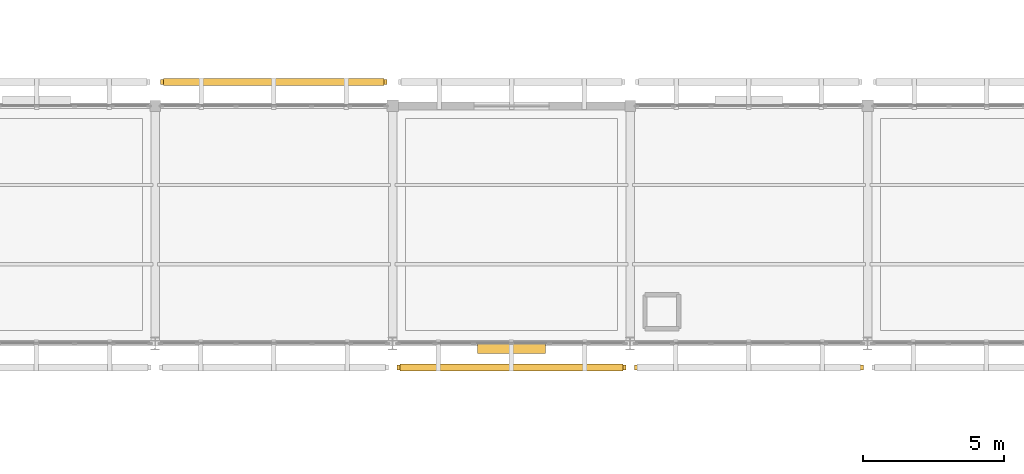
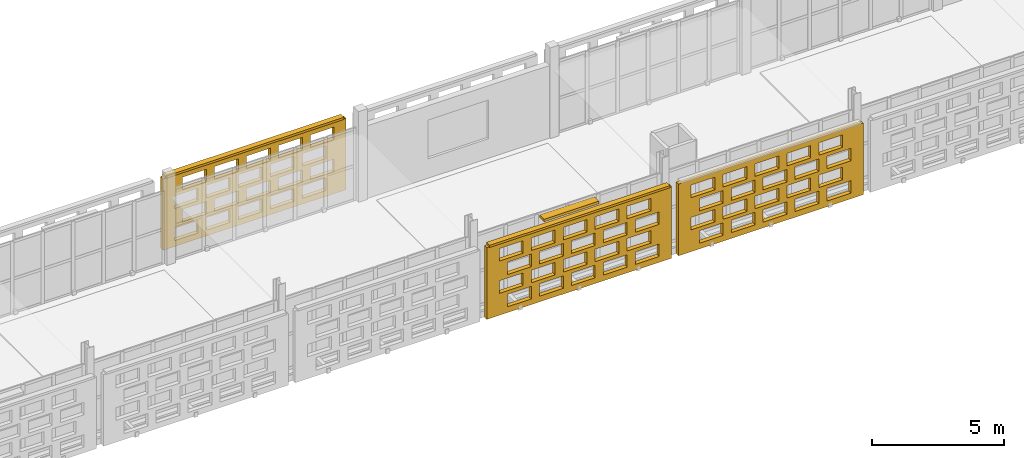
# One storey, part 142 of 166: 3 coverings, 3 shading devices, 60 openings.
"""IFC4 building model written with IfcOpenShell, lengths in metres."""

from ifc_helpers import new_model, si_unit, direction, frame, frame_2d, origin, origin_2d, place, context, subcontext, project, spatial, rectangle, extrude, material, layer, layer_set, type_object, element, save


model = new_model("IFC4")

# Units and contexts
model_context = context("Model", 3, precision=1e-05, world=origin(), true_north=direction((0.0, 1.0)))
body_context = subcontext(model_context, "Body", "Model", "MODEL_VIEW")
ifc_project = project(units=[si_unit("LENGTHUNIT", "METRE"), si_unit("AREAUNIT", "SQUARE_METRE"), si_unit("VOLUMEUNIT", "CUBIC_METRE"), si_unit("PLANEANGLEUNIT", "RADIAN"), si_unit("MASSUNIT", "GRAM", prefix="KILO")], contexts=[model_context])

# Site, building, storey
site_placement = place(None, origin())
site = spatial("IfcSite", under=ifc_project, at=site_placement, CompositionType="ELEMENT")
building_placement = place(site_placement, origin())
building = spatial("IfcBuilding", under=site, at=building_placement, Name="Varnapada Polytechnic", CompositionType="ELEMENT")
storey_placement = place(building_placement, frame((0.0, 0.0, 9.60009765625)))
storey = spatial("IfcBuildingStorey", under=building, at=storey_placement, Name="L02", CompositionType="ELEMENT", Elevation=9.60009765625)

# Shading device
ifc_material_1 = material(Name="Anodised aluminium", Category="aluminium")
ifc_layer_1 = layer(ifc_material_1, 0.35009765625)
ifc_layer_set_1 = layer_set([ifc_layer_1], Name="Anodised aluminium")
shading_device_type_1 = type_object("IfcShadingDeviceType", Name="Solar Louvre LVR-01", PredefinedType="JALOUSIE", material=ifc_layer_set_1)
shading_device_1_placement = place(storey_placement, frame((96.60009765625, 83.820068359375, 3.159912109375), z_axis=(0.0, 0.0, 1.0), x_axis=(-1.0, 0.0, 0.0)))
element("IfcShadingDevice", 1, at=shading_device_1_placement, inside=storey, type_object=shading_device_type_1, Name="L02 aluminium sun louvre 64", PredefinedType="JALOUSIE", context=body_context, shape_type="SweptSolid", body=[
    extrude(rectangle(XDim=2.39990234375, YDim=0.340087890625, at=origin_2d()), origin(), (0.0, 0.0, 1.0), 0.1201171875),
])

# Covering, openings
ifc_material_2 = material(Name="Earth-toned architectural terracotta screen block", Category="masonry")
ifc_layer_2 = layer(ifc_material_2, 0.1201171875)
ifc_layer_set_2 = layer_set([ifc_layer_2], Name="Earth-toned architectural terracotta screen block")
covering_type = type_object("IfcCoveringType", Name="Terracotta Screen Cladding CLD-01", PredefinedType="CLADDING", material=ifc_layer_set_2)
covering_1_placement = place(storey_placement, frame((84.18994140625, 93.25, 0.0), z_axis=(0.0, 0.0, 1.0), x_axis=(1.0, 0.0, 0.0)))
covering_1 = element("IfcCovering", 2, at=covering_1_placement, inside=storey, type_object=covering_type, Name="L02 perforated terracotta block screen (63)", PredefinedType="CLADDING", context=body_context, shape_type="SweptSolid", body=[
    extrude(rectangle(XDim=8.010009765625, YDim=0.179931640625, at=frame_2d((4.0048828125, 0.0))), origin(), (0.0, 0.0, 1.0), 3.31982421875),
])
opening_1_placement = place(covering_1_placement, frame((0.5048828125, 0.0, 0.265625)))
element("IfcOpeningElement", 3, at=opening_1_placement, cuts=covering_1, Name="Screen perforation TBS-L02-062.1", PredefinedType="OPENING", context=body_context, shape_type="SweptSolid", body=[
    extrude(rectangle(XDim=1.0400390625, YDim=0.5810546875, at=frame_2d((0.52001953125, 0.29052734375))), frame((0.0, 0.099853515625, 0.0), z_axis=(0.0, -1.0, 0.0), x_axis=(1.0, 0.0, 0.0)), (0.0, 0.0, 1.0), 0.199951171875),
])
opening_2_placement = place(covering_1_placement, frame((1.905029296875, 0.0, 0.265625)))
element("IfcOpeningElement", 4, at=opening_2_placement, cuts=covering_1, Name="Screen perforation TBS-L02-062.2", PredefinedType="OPENING", context=body_context, shape_type="SweptSolid", body=[
    extrude(rectangle(XDim=1.0400390625, YDim=0.5810546875, at=frame_2d((0.52001953125, 0.29052734375))), frame((0.0, 0.099853515625, 0.0), z_axis=(0.0, -1.0, 0.0), x_axis=(1.0, 0.0, 0.0)), (0.0, 0.0, 1.0), 0.199951171875),
])
opening_3_placement = place(covering_1_placement, frame((3.304931640625, 0.0, 0.265625)))
element("IfcOpeningElement", 5, at=opening_3_placement, cuts=covering_1, Name="Screen perforation TBS-L02-062.3", PredefinedType="OPENING", context=body_context, shape_type="SweptSolid", body=[
    extrude(rectangle(XDim=1.0400390625, YDim=0.5810546875, at=frame_2d((0.52001953125, 0.29052734375))), frame((0.0, 0.099853515625, 0.0), z_axis=(0.0, -1.0, 0.0), x_axis=(1.0, 0.0, 0.0)), (0.0, 0.0, 1.0), 0.199951171875),
])
opening_4_placement = place(covering_1_placement, frame((4.705078125, 0.0, 0.265625)))
element("IfcOpeningElement", 6, at=opening_4_placement, cuts=covering_1, Name="Screen perforation TBS-L02-062.4", PredefinedType="OPENING", context=body_context, shape_type="SweptSolid", body=[
    extrude(rectangle(XDim=1.0400390625, YDim=0.5810546875, at=frame_2d((0.52001953125, 0.29052734375))), frame((0.0, 0.099853515625, 0.0), z_axis=(0.0, -1.0, 0.0), x_axis=(1.0, 0.0, 0.0)), (0.0, 0.0, 1.0), 0.199951171875),
])
opening_5_placement = place(covering_1_placement, frame((6.10498046875, 0.0, 0.265625)))
element("IfcOpeningElement", 7, at=opening_5_placement, cuts=covering_1, Name="Screen perforation TBS-L02-062.5", PredefinedType="OPENING", context=body_context, shape_type="SweptSolid", body=[
    extrude(rectangle(XDim=1.0400390625, YDim=0.5810546875, at=frame_2d((0.52001953125, 0.29052734375))), frame((0.0, 0.099853515625, 0.0), z_axis=(0.0, -1.0, 0.0), x_axis=(1.0, 0.0, 0.0)), (0.0, 0.0, 1.0), 0.199951171875),
])
opening_6_placement = place(covering_1_placement, frame((0.864990234375, 0.0, 1.0126953125)))
element("IfcOpeningElement", 8, at=opening_6_placement, cuts=covering_1, Name="Screen perforation TBS-L02-062.6", PredefinedType="OPENING", context=body_context, shape_type="SweptSolid", body=[
    extrude(rectangle(XDim=1.0400390625, YDim=0.5810546875, at=frame_2d((0.52001953125, 0.29052734375))), frame((0.0, 0.099853515625, 0.0), z_axis=(0.0, -1.0, 0.0), x_axis=(1.0, 0.0, 0.0)), (0.0, 0.0, 1.0), 0.199951171875),
])
opening_7_placement = place(covering_1_placement, frame((2.264892578125, 0.0, 1.0126953125)))
element("IfcOpeningElement", 9, at=opening_7_placement, cuts=covering_1, Name="Screen perforation TBS-L02-062.7", PredefinedType="OPENING", context=body_context, shape_type="SweptSolid", body=[
    extrude(rectangle(XDim=1.0400390625, YDim=0.5810546875, at=frame_2d((0.52001953125, 0.29052734375))), frame((0.0, 0.099853515625, 0.0), z_axis=(0.0, -1.0, 0.0), x_axis=(1.0, 0.0, 0.0)), (0.0, 0.0, 1.0), 0.199951171875),
])
opening_8_placement = place(covering_1_placement, frame((3.6650390625, 0.0, 1.0126953125)))
element("IfcOpeningElement", 10, at=opening_8_placement, cuts=covering_1, Name="Screen perforation TBS-L02-062.8", PredefinedType="OPENING", context=body_context, shape_type="SweptSolid", body=[
    extrude(rectangle(XDim=1.0400390625, YDim=0.5810546875, at=frame_2d((0.52001953125, 0.29052734375))), frame((0.0, 0.099853515625, 0.0), z_axis=(0.0, -1.0, 0.0), x_axis=(1.0, 0.0, 0.0)), (0.0, 0.0, 1.0), 0.199951171875),
])
opening_9_placement = place(covering_1_placement, frame((5.06494140625, 0.0, 1.0126953125)))
element("IfcOpeningElement", 11, at=opening_9_placement, cuts=covering_1, Name="Screen perforation TBS-L02-062.9", PredefinedType="OPENING", context=body_context, shape_type="SweptSolid", body=[
    extrude(rectangle(XDim=1.0400390625, YDim=0.5810546875, at=frame_2d((0.52001953125, 0.29052734375))), frame((0.0, 0.099853515625, 0.0), z_axis=(0.0, -1.0, 0.0), x_axis=(1.0, 0.0, 0.0)), (0.0, 0.0, 1.0), 0.199951171875),
])
opening_10_placement = place(covering_1_placement, frame((6.465087890625, 0.0, 1.0126953125)))
element("IfcOpeningElement", 12, at=opening_10_placement, cuts=covering_1, Name="Screen perforation TBS-L02-062.10", PredefinedType="OPENING", context=body_context, shape_type="SweptSolid", body=[
    extrude(rectangle(XDim=1.0400390625, YDim=0.5810546875, at=frame_2d((0.52001953125, 0.29052734375))), frame((0.0, 0.099853515625, 0.0), z_axis=(0.0, -1.0, 0.0), x_axis=(1.0, 0.0, 0.0)), (0.0, 0.0, 1.0), 0.199951171875),
])
opening_11_placement = place(covering_1_placement, frame((0.5048828125, 0.0, 1.759521484375)))
element("IfcOpeningElement", 13, at=opening_11_placement, cuts=covering_1, Name="Screen perforation TBS-L02-062.11", PredefinedType="OPENING", context=body_context, shape_type="SweptSolid", body=[
    extrude(rectangle(XDim=1.0400390625, YDim=0.5810546875, at=frame_2d((0.52001953125, 0.29052734375))), frame((0.0, 0.099853515625, 0.0), z_axis=(0.0, -1.0, 0.0), x_axis=(1.0, 0.0, 0.0)), (0.0, 0.0, 1.0), 0.199951171875),
])
opening_12_placement = place(covering_1_placement, frame((1.905029296875, 0.0, 1.759521484375)))
element("IfcOpeningElement", 14, at=opening_12_placement, cuts=covering_1, Name="Screen perforation TBS-L02-062.12", PredefinedType="OPENING", context=body_context, shape_type="SweptSolid", body=[
    extrude(rectangle(XDim=1.0400390625, YDim=0.5810546875, at=frame_2d((0.52001953125, 0.29052734375))), frame((0.0, 0.099853515625, 0.0), z_axis=(0.0, -1.0, 0.0), x_axis=(1.0, 0.0, 0.0)), (0.0, 0.0, 1.0), 0.199951171875),
])
opening_13_placement = place(covering_1_placement, frame((3.304931640625, 0.0, 1.759521484375)))
element("IfcOpeningElement", 15, at=opening_13_placement, cuts=covering_1, Name="Screen perforation TBS-L02-062.13", PredefinedType="OPENING", context=body_context, shape_type="SweptSolid", body=[
    extrude(rectangle(XDim=1.0400390625, YDim=0.5810546875, at=frame_2d((0.52001953125, 0.29052734375))), frame((0.0, 0.099853515625, 0.0), z_axis=(0.0, -1.0, 0.0), x_axis=(1.0, 0.0, 0.0)), (0.0, 0.0, 1.0), 0.199951171875),
])
opening_14_placement = place(covering_1_placement, frame((4.705078125, 0.0, 1.759521484375)))
element("IfcOpeningElement", 16, at=opening_14_placement, cuts=covering_1, Name="Screen perforation TBS-L02-062.14", PredefinedType="OPENING", context=body_context, shape_type="SweptSolid", body=[
    extrude(rectangle(XDim=1.0400390625, YDim=0.5810546875, at=frame_2d((0.52001953125, 0.29052734375))), frame((0.0, 0.099853515625, 0.0), z_axis=(0.0, -1.0, 0.0), x_axis=(1.0, 0.0, 0.0)), (0.0, 0.0, 1.0), 0.199951171875),
])
opening_15_placement = place(covering_1_placement, frame((6.10498046875, 0.0, 1.759521484375)))
element("IfcOpeningElement", 17, at=opening_15_placement, cuts=covering_1, Name="Screen perforation TBS-L02-062.15", PredefinedType="OPENING", context=body_context, shape_type="SweptSolid", body=[
    extrude(rectangle(XDim=1.0400390625, YDim=0.5810546875, at=frame_2d((0.52001953125, 0.29052734375))), frame((0.0, 0.099853515625, 0.0), z_axis=(0.0, -1.0, 0.0), x_axis=(1.0, 0.0, 0.0)), (0.0, 0.0, 1.0), 0.199951171875),
])
opening_16_placement = place(covering_1_placement, frame((0.864990234375, 0.0, 2.506591796875)))
element("IfcOpeningElement", 18, at=opening_16_placement, cuts=covering_1, Name="Screen perforation TBS-L02-062.16", PredefinedType="OPENING", context=body_context, shape_type="SweptSolid", body=[
    extrude(rectangle(XDim=1.0400390625, YDim=0.5810546875, at=frame_2d((0.52001953125, 0.29052734375))), frame((0.0, 0.099853515625, 0.0), z_axis=(0.0, -1.0, 0.0), x_axis=(1.0, 0.0, 0.0)), (0.0, 0.0, 1.0), 0.199951171875),
])
opening_17_placement = place(covering_1_placement, frame((2.264892578125, 0.0, 2.506591796875)))
element("IfcOpeningElement", 19, at=opening_17_placement, cuts=covering_1, Name="Screen perforation TBS-L02-062.17", PredefinedType="OPENING", context=body_context, shape_type="SweptSolid", body=[
    extrude(rectangle(XDim=1.0400390625, YDim=0.5810546875, at=frame_2d((0.52001953125, 0.29052734375))), frame((0.0, 0.099853515625, 0.0), z_axis=(0.0, -1.0, 0.0), x_axis=(1.0, 0.0, 0.0)), (0.0, 0.0, 1.0), 0.199951171875),
])
opening_18_placement = place(covering_1_placement, frame((3.6650390625, 0.0, 2.506591796875)))
element("IfcOpeningElement", 20, at=opening_18_placement, cuts=covering_1, Name="Screen perforation TBS-L02-062.18", PredefinedType="OPENING", context=body_context, shape_type="SweptSolid", body=[
    extrude(rectangle(XDim=1.0400390625, YDim=0.5810546875, at=frame_2d((0.52001953125, 0.29052734375))), frame((0.0, 0.099853515625, 0.0), z_axis=(0.0, -1.0, 0.0), x_axis=(1.0, 0.0, 0.0)), (0.0, 0.0, 1.0), 0.199951171875),
])
opening_19_placement = place(covering_1_placement, frame((5.06494140625, 0.0, 2.506591796875)))
element("IfcOpeningElement", 21, at=opening_19_placement, cuts=covering_1, Name="Screen perforation TBS-L02-062.19", PredefinedType="OPENING", context=body_context, shape_type="SweptSolid", body=[
    extrude(rectangle(XDim=1.0400390625, YDim=0.5810546875, at=frame_2d((0.52001953125, 0.29052734375))), frame((0.0, 0.099853515625, 0.0), z_axis=(0.0, -1.0, 0.0), x_axis=(1.0, 0.0, 0.0)), (0.0, 0.0, 1.0), 0.199951171875),
])
opening_20_placement = place(covering_1_placement, frame((6.465087890625, 0.0, 2.506591796875)))
element("IfcOpeningElement", 22, at=opening_20_placement, cuts=covering_1, Name="Screen perforation TBS-L02-062.20", PredefinedType="OPENING", context=body_context, shape_type="SweptSolid", body=[
    extrude(rectangle(XDim=1.0400390625, YDim=0.5810546875, at=frame_2d((0.52001953125, 0.29052734375))), frame((0.0, 0.099853515625, 0.0), z_axis=(0.0, -1.0, 0.0), x_axis=(1.0, 0.0, 0.0)), (0.0, 0.0, 1.0), 0.199951171875),
])

covering_2_placement = place(storey_placement, frame((100.64990234375, 83.14990234375, 0.0), z_axis=(0.0, 0.0, 1.0), x_axis=(-1.0, 0.0, 0.0)))
covering_2 = element("IfcCovering", 23, at=covering_2_placement, inside=storey, type_object=covering_type, Name="L02 perforated terracotta block screen (64)", PredefinedType="CLADDING", context=body_context, shape_type="SweptSolid", body=[
    extrude(rectangle(XDim=8.099853515625, YDim=0.179931640625, at=frame_2d((4.0498046875, 0.0))), origin(), (0.0, 0.0, 1.0), 3.31982421875),
])
opening_21_placement = place(covering_2_placement, frame((0.550048828125, 0.0, 0.265625)))
element("IfcOpeningElement", 24, at=opening_21_placement, cuts=covering_2, Name="Screen perforation TBS-L02-063.1", PredefinedType="OPENING", context=body_context, shape_type="SweptSolid", body=[
    extrude(rectangle(XDim=1.0400390625, YDim=0.5810546875, at=frame_2d((0.52001953125, 0.29052734375))), frame((0.0, 0.099853515625, 0.0), z_axis=(0.0, -1.0, 0.0), x_axis=(1.0, 0.0, 0.0)), (0.0, 0.0, 1.0), 0.199951171875),
])
opening_22_placement = place(covering_2_placement, frame((1.949951171875, 0.0, 0.265625)))
element("IfcOpeningElement", 25, at=opening_22_placement, cuts=covering_2, Name="Screen perforation TBS-L02-063.2", PredefinedType="OPENING", context=body_context, shape_type="SweptSolid", body=[
    extrude(rectangle(XDim=1.0400390625, YDim=0.5810546875, at=frame_2d((0.52001953125, 0.29052734375))), frame((0.0, 0.099853515625, 0.0), z_axis=(0.0, -1.0, 0.0), x_axis=(1.0, 0.0, 0.0)), (0.0, 0.0, 1.0), 0.199951171875),
])
opening_23_placement = place(covering_2_placement, frame((3.35009765625, 0.0, 0.265625)))
element("IfcOpeningElement", 26, at=opening_23_placement, cuts=covering_2, Name="Screen perforation TBS-L02-063.3", PredefinedType="OPENING", context=body_context, shape_type="SweptSolid", body=[
    extrude(rectangle(XDim=1.0400390625, YDim=0.5810546875, at=frame_2d((0.52001953125, 0.29052734375))), frame((0.0, 0.099853515625, 0.0), z_axis=(0.0, -1.0, 0.0), x_axis=(1.0, 0.0, 0.0)), (0.0, 0.0, 1.0), 0.199951171875),
])
opening_24_placement = place(covering_2_placement, frame((4.75, 0.0, 0.265625)))
element("IfcOpeningElement", 27, at=opening_24_placement, cuts=covering_2, Name="Screen perforation TBS-L02-063.4", PredefinedType="OPENING", context=body_context, shape_type="SweptSolid", body=[
    extrude(rectangle(XDim=1.0400390625, YDim=0.5810546875, at=frame_2d((0.52001953125, 0.29052734375))), frame((0.0, 0.099853515625, 0.0), z_axis=(0.0, -1.0, 0.0), x_axis=(1.0, 0.0, 0.0)), (0.0, 0.0, 1.0), 0.199951171875),
])
opening_25_placement = place(covering_2_placement, frame((6.14990234375, 0.0, 0.265625)))
element("IfcOpeningElement", 28, at=opening_25_placement, cuts=covering_2, Name="Screen perforation TBS-L02-063.5", PredefinedType="OPENING", context=body_context, shape_type="SweptSolid", body=[
    extrude(rectangle(XDim=1.0400390625, YDim=0.5810546875, at=frame_2d((0.52001953125, 0.29052734375))), frame((0.0, 0.099853515625, 0.0), z_axis=(0.0, -1.0, 0.0), x_axis=(1.0, 0.0, 0.0)), (0.0, 0.0, 1.0), 0.199951171875),
])
opening_26_placement = place(covering_2_placement, frame((0.909912109375, 0.0, 1.0126953125)))
element("IfcOpeningElement", 29, at=opening_26_placement, cuts=covering_2, Name="Screen perforation TBS-L02-063.6", PredefinedType="OPENING", context=body_context, shape_type="SweptSolid", body=[
    extrude(rectangle(XDim=1.0400390625, YDim=0.5810546875, at=frame_2d((0.52001953125, 0.29052734375))), frame((0.0, 0.099853515625, 0.0), z_axis=(0.0, -1.0, 0.0), x_axis=(1.0, 0.0, 0.0)), (0.0, 0.0, 1.0), 0.199951171875),
])
opening_27_placement = place(covering_2_placement, frame((2.31005859375, 0.0, 1.0126953125)))
element("IfcOpeningElement", 30, at=opening_27_placement, cuts=covering_2, Name="Screen perforation TBS-L02-063.7", PredefinedType="OPENING", context=body_context, shape_type="SweptSolid", body=[
    extrude(rectangle(XDim=1.0400390625, YDim=0.5810546875, at=frame_2d((0.52001953125, 0.29052734375))), frame((0.0, 0.099853515625, 0.0), z_axis=(0.0, -1.0, 0.0), x_axis=(1.0, 0.0, 0.0)), (0.0, 0.0, 1.0), 0.199951171875),
])
opening_28_placement = place(covering_2_placement, frame((3.7099609375, 0.0, 1.0126953125)))
element("IfcOpeningElement", 31, at=opening_28_placement, cuts=covering_2, Name="Screen perforation TBS-L02-063.8", PredefinedType="OPENING", context=body_context, shape_type="SweptSolid", body=[
    extrude(rectangle(XDim=1.0400390625, YDim=0.5810546875, at=frame_2d((0.52001953125, 0.29052734375))), frame((0.0, 0.099853515625, 0.0), z_axis=(0.0, -1.0, 0.0), x_axis=(1.0, 0.0, 0.0)), (0.0, 0.0, 1.0), 0.199951171875),
])
opening_29_placement = place(covering_2_placement, frame((5.110107421875, 0.0, 1.0126953125)))
element("IfcOpeningElement", 32, at=opening_29_placement, cuts=covering_2, Name="Screen perforation TBS-L02-063.9", PredefinedType="OPENING", context=body_context, shape_type="SweptSolid", body=[
    extrude(rectangle(XDim=1.0400390625, YDim=0.5810546875, at=frame_2d((0.52001953125, 0.29052734375))), frame((0.0, 0.099853515625, 0.0), z_axis=(0.0, -1.0, 0.0), x_axis=(1.0, 0.0, 0.0)), (0.0, 0.0, 1.0), 0.199951171875),
])
opening_30_placement = place(covering_2_placement, frame((6.510009765625, 0.0, 1.0126953125)))
element("IfcOpeningElement", 33, at=opening_30_placement, cuts=covering_2, Name="Screen perforation TBS-L02-063.10", PredefinedType="OPENING", context=body_context, shape_type="SweptSolid", body=[
    extrude(rectangle(XDim=1.0400390625, YDim=0.5810546875, at=frame_2d((0.52001953125, 0.29052734375))), frame((0.0, 0.099853515625, 0.0), z_axis=(0.0, -1.0, 0.0), x_axis=(1.0, 0.0, 0.0)), (0.0, 0.0, 1.0), 0.199951171875),
])
opening_31_placement = place(covering_2_placement, frame((0.550048828125, 0.0, 1.759521484375)))
element("IfcOpeningElement", 34, at=opening_31_placement, cuts=covering_2, Name="Screen perforation TBS-L02-063.11", PredefinedType="OPENING", context=body_context, shape_type="SweptSolid", body=[
    extrude(rectangle(XDim=1.0400390625, YDim=0.5810546875, at=frame_2d((0.52001953125, 0.29052734375))), frame((0.0, 0.099853515625, 0.0), z_axis=(0.0, -1.0, 0.0), x_axis=(1.0, 0.0, 0.0)), (0.0, 0.0, 1.0), 0.199951171875),
])
opening_32_placement = place(covering_2_placement, frame((1.949951171875, 0.0, 1.759521484375)))
element("IfcOpeningElement", 35, at=opening_32_placement, cuts=covering_2, Name="Screen perforation TBS-L02-063.12", PredefinedType="OPENING", context=body_context, shape_type="SweptSolid", body=[
    extrude(rectangle(XDim=1.0400390625, YDim=0.5810546875, at=frame_2d((0.52001953125, 0.29052734375))), frame((0.0, 0.099853515625, 0.0), z_axis=(0.0, -1.0, 0.0), x_axis=(1.0, 0.0, 0.0)), (0.0, 0.0, 1.0), 0.199951171875),
])
opening_33_placement = place(covering_2_placement, frame((3.35009765625, 0.0, 1.759521484375)))
element("IfcOpeningElement", 36, at=opening_33_placement, cuts=covering_2, Name="Screen perforation TBS-L02-063.13", PredefinedType="OPENING", context=body_context, shape_type="SweptSolid", body=[
    extrude(rectangle(XDim=1.0400390625, YDim=0.5810546875, at=frame_2d((0.52001953125, 0.29052734375))), frame((0.0, 0.099853515625, 0.0), z_axis=(0.0, -1.0, 0.0), x_axis=(1.0, 0.0, 0.0)), (0.0, 0.0, 1.0), 0.199951171875),
])
opening_34_placement = place(covering_2_placement, frame((4.75, 0.0, 1.759521484375)))
element("IfcOpeningElement", 37, at=opening_34_placement, cuts=covering_2, Name="Screen perforation TBS-L02-063.14", PredefinedType="OPENING", context=body_context, shape_type="SweptSolid", body=[
    extrude(rectangle(XDim=1.0400390625, YDim=0.5810546875, at=frame_2d((0.52001953125, 0.29052734375))), frame((0.0, 0.099853515625, 0.0), z_axis=(0.0, -1.0, 0.0), x_axis=(1.0, 0.0, 0.0)), (0.0, 0.0, 1.0), 0.199951171875),
])
opening_35_placement = place(covering_2_placement, frame((6.14990234375, 0.0, 1.759521484375)))
element("IfcOpeningElement", 38, at=opening_35_placement, cuts=covering_2, Name="Screen perforation TBS-L02-063.15", PredefinedType="OPENING", context=body_context, shape_type="SweptSolid", body=[
    extrude(rectangle(XDim=1.0400390625, YDim=0.5810546875, at=frame_2d((0.52001953125, 0.29052734375))), frame((0.0, 0.099853515625, 0.0), z_axis=(0.0, -1.0, 0.0), x_axis=(1.0, 0.0, 0.0)), (0.0, 0.0, 1.0), 0.199951171875),
])
opening_36_placement = place(covering_2_placement, frame((0.909912109375, 0.0, 2.506591796875)))
element("IfcOpeningElement", 39, at=opening_36_placement, cuts=covering_2, Name="Screen perforation TBS-L02-063.16", PredefinedType="OPENING", context=body_context, shape_type="SweptSolid", body=[
    extrude(rectangle(XDim=1.0400390625, YDim=0.5810546875, at=frame_2d((0.52001953125, 0.29052734375))), frame((0.0, 0.099853515625, 0.0), z_axis=(0.0, -1.0, 0.0), x_axis=(1.0, 0.0, 0.0)), (0.0, 0.0, 1.0), 0.199951171875),
])
opening_37_placement = place(covering_2_placement, frame((2.31005859375, 0.0, 2.506591796875)))
element("IfcOpeningElement", 40, at=opening_37_placement, cuts=covering_2, Name="Screen perforation TBS-L02-063.17", PredefinedType="OPENING", context=body_context, shape_type="SweptSolid", body=[
    extrude(rectangle(XDim=1.0400390625, YDim=0.5810546875, at=frame_2d((0.52001953125, 0.29052734375))), frame((0.0, 0.099853515625, 0.0), z_axis=(0.0, -1.0, 0.0), x_axis=(1.0, 0.0, 0.0)), (0.0, 0.0, 1.0), 0.199951171875),
])
opening_38_placement = place(covering_2_placement, frame((3.7099609375, 0.0, 2.506591796875)))
element("IfcOpeningElement", 41, at=opening_38_placement, cuts=covering_2, Name="Screen perforation TBS-L02-063.18", PredefinedType="OPENING", context=body_context, shape_type="SweptSolid", body=[
    extrude(rectangle(XDim=1.0400390625, YDim=0.5810546875, at=frame_2d((0.52001953125, 0.29052734375))), frame((0.0, 0.099853515625, 0.0), z_axis=(0.0, -1.0, 0.0), x_axis=(1.0, 0.0, 0.0)), (0.0, 0.0, 1.0), 0.199951171875),
])
opening_39_placement = place(covering_2_placement, frame((5.110107421875, 0.0, 2.506591796875)))
element("IfcOpeningElement", 42, at=opening_39_placement, cuts=covering_2, Name="Screen perforation TBS-L02-063.19", PredefinedType="OPENING", context=body_context, shape_type="SweptSolid", body=[
    extrude(rectangle(XDim=1.0400390625, YDim=0.5810546875, at=frame_2d((0.52001953125, 0.29052734375))), frame((0.0, 0.099853515625, 0.0), z_axis=(0.0, -1.0, 0.0), x_axis=(1.0, 0.0, 0.0)), (0.0, 0.0, 1.0), 0.199951171875),
])
opening_40_placement = place(covering_2_placement, frame((6.510009765625, 0.0, 2.506591796875)))
element("IfcOpeningElement", 43, at=opening_40_placement, cuts=covering_2, Name="Screen perforation TBS-L02-063.20", PredefinedType="OPENING", context=body_context, shape_type="SweptSolid", body=[
    extrude(rectangle(XDim=1.0400390625, YDim=0.5810546875, at=frame_2d((0.52001953125, 0.29052734375))), frame((0.0, 0.099853515625, 0.0), z_axis=(0.0, -1.0, 0.0), x_axis=(1.0, 0.0, 0.0)), (0.0, 0.0, 1.0), 0.199951171875),
])

covering_3_placement = place(storey_placement, frame((109.050048828125, 83.14990234375, 0.0), z_axis=(0.0, 0.0, 1.0), x_axis=(-1.0, 0.0, 0.0)))
covering_3 = element("IfcCovering", 44, at=covering_3_placement, inside=storey, type_object=covering_type, Name="L02 perforated terracotta block screen (66)", PredefinedType="CLADDING", context=body_context, shape_type="SweptSolid", body=[
    extrude(rectangle(XDim=8.10009765625, YDim=0.179931640625, at=frame_2d((4.050048828125, 0.0))), origin(), (0.0, 0.0, 1.0), 3.31982421875),
])
opening_41_placement = place(covering_3_placement, frame((0.550048828125, 0.0, 0.265625)))
element("IfcOpeningElement", 45, at=opening_41_placement, cuts=covering_3, Name="Screen perforation TBS-L02-065.1", PredefinedType="OPENING", context=body_context, shape_type="SweptSolid", body=[
    extrude(rectangle(XDim=1.0400390625, YDim=0.5810546875, at=frame_2d((0.52001953125, 0.29052734375))), frame((0.0, 0.099853515625, 0.0), z_axis=(0.0, -1.0, 0.0), x_axis=(1.0, 0.0, 0.0)), (0.0, 0.0, 1.0), 0.199951171875),
])
opening_42_placement = place(covering_3_placement, frame((1.949951171875, 0.0, 0.265625)))
element("IfcOpeningElement", 46, at=opening_42_placement, cuts=covering_3, Name="Screen perforation TBS-L02-065.2", PredefinedType="OPENING", context=body_context, shape_type="SweptSolid", body=[
    extrude(rectangle(XDim=1.0400390625, YDim=0.5810546875, at=frame_2d((0.52001953125, 0.29052734375))), frame((0.0, 0.099853515625, 0.0), z_axis=(0.0, -1.0, 0.0), x_axis=(1.0, 0.0, 0.0)), (0.0, 0.0, 1.0), 0.199951171875),
])
opening_43_placement = place(covering_3_placement, frame((3.35009765625, 0.0, 0.265625)))
element("IfcOpeningElement", 47, at=opening_43_placement, cuts=covering_3, Name="Screen perforation TBS-L02-065.3", PredefinedType="OPENING", context=body_context, shape_type="SweptSolid", body=[
    extrude(rectangle(XDim=1.0400390625, YDim=0.5810546875, at=frame_2d((0.52001953125, 0.29052734375))), frame((0.0, 0.099853515625, 0.0), z_axis=(0.0, -1.0, 0.0), x_axis=(1.0, 0.0, 0.0)), (0.0, 0.0, 1.0), 0.199951171875),
])
opening_44_placement = place(covering_3_placement, frame((4.75, 0.0, 0.265625)))
element("IfcOpeningElement", 48, at=opening_44_placement, cuts=covering_3, Name="Screen perforation TBS-L02-065.4", PredefinedType="OPENING", context=body_context, shape_type="SweptSolid", body=[
    extrude(rectangle(XDim=1.0400390625, YDim=0.5810546875, at=frame_2d((0.52001953125, 0.29052734375))), frame((0.0, 0.099853515625, 0.0), z_axis=(0.0, -1.0, 0.0), x_axis=(1.0, 0.0, 0.0)), (0.0, 0.0, 1.0), 0.199951171875),
])
opening_45_placement = place(covering_3_placement, frame((6.14990234375, 0.0, 0.265625)))
element("IfcOpeningElement", 49, at=opening_45_placement, cuts=covering_3, Name="Screen perforation TBS-L02-065.5", PredefinedType="OPENING", context=body_context, shape_type="SweptSolid", body=[
    extrude(rectangle(XDim=1.0400390625, YDim=0.5810546875, at=frame_2d((0.52001953125, 0.29052734375))), frame((0.0, 0.099853515625, 0.0), z_axis=(0.0, -1.0, 0.0), x_axis=(1.0, 0.0, 0.0)), (0.0, 0.0, 1.0), 0.199951171875),
])
opening_46_placement = place(covering_3_placement, frame((0.909912109375, 0.0, 1.0126953125)))
element("IfcOpeningElement", 50, at=opening_46_placement, cuts=covering_3, Name="Screen perforation TBS-L02-065.6", PredefinedType="OPENING", context=body_context, shape_type="SweptSolid", body=[
    extrude(rectangle(XDim=1.0400390625, YDim=0.5810546875, at=frame_2d((0.52001953125, 0.29052734375))), frame((0.0, 0.099853515625, 0.0), z_axis=(0.0, -1.0, 0.0), x_axis=(1.0, 0.0, 0.0)), (0.0, 0.0, 1.0), 0.199951171875),
])
opening_47_placement = place(covering_3_placement, frame((2.31005859375, 0.0, 1.0126953125)))
element("IfcOpeningElement", 51, at=opening_47_placement, cuts=covering_3, Name="Screen perforation TBS-L02-065.7", PredefinedType="OPENING", context=body_context, shape_type="SweptSolid", body=[
    extrude(rectangle(XDim=1.0400390625, YDim=0.5810546875, at=frame_2d((0.52001953125, 0.29052734375))), frame((0.0, 0.099853515625, 0.0), z_axis=(0.0, -1.0, 0.0), x_axis=(1.0, 0.0, 0.0)), (0.0, 0.0, 1.0), 0.199951171875),
])
opening_48_placement = place(covering_3_placement, frame((3.7099609375, 0.0, 1.0126953125)))
element("IfcOpeningElement", 52, at=opening_48_placement, cuts=covering_3, Name="Screen perforation TBS-L02-065.8", PredefinedType="OPENING", context=body_context, shape_type="SweptSolid", body=[
    extrude(rectangle(XDim=1.0400390625, YDim=0.5810546875, at=frame_2d((0.52001953125, 0.29052734375))), frame((0.0, 0.099853515625, 0.0), z_axis=(0.0, -1.0, 0.0), x_axis=(1.0, 0.0, 0.0)), (0.0, 0.0, 1.0), 0.199951171875),
])
opening_49_placement = place(covering_3_placement, frame((5.110107421875, 0.0, 1.0126953125)))
element("IfcOpeningElement", 53, at=opening_49_placement, cuts=covering_3, Name="Screen perforation TBS-L02-065.9", PredefinedType="OPENING", context=body_context, shape_type="SweptSolid", body=[
    extrude(rectangle(XDim=1.0400390625, YDim=0.5810546875, at=frame_2d((0.52001953125, 0.29052734375))), frame((0.0, 0.099853515625, 0.0), z_axis=(0.0, -1.0, 0.0), x_axis=(1.0, 0.0, 0.0)), (0.0, 0.0, 1.0), 0.199951171875),
])
opening_50_placement = place(covering_3_placement, frame((6.510009765625, 0.0, 1.0126953125)))
element("IfcOpeningElement", 54, at=opening_50_placement, cuts=covering_3, Name="Screen perforation TBS-L02-065.10", PredefinedType="OPENING", context=body_context, shape_type="SweptSolid", body=[
    extrude(rectangle(XDim=1.0400390625, YDim=0.5810546875, at=frame_2d((0.52001953125, 0.29052734375))), frame((0.0, 0.099853515625, 0.0), z_axis=(0.0, -1.0, 0.0), x_axis=(1.0, 0.0, 0.0)), (0.0, 0.0, 1.0), 0.199951171875),
])
opening_51_placement = place(covering_3_placement, frame((0.550048828125, 0.0, 1.759521484375)))
element("IfcOpeningElement", 55, at=opening_51_placement, cuts=covering_3, Name="Screen perforation TBS-L02-065.11", PredefinedType="OPENING", context=body_context, shape_type="SweptSolid", body=[
    extrude(rectangle(XDim=1.0400390625, YDim=0.5810546875, at=frame_2d((0.52001953125, 0.29052734375))), frame((0.0, 0.099853515625, 0.0), z_axis=(0.0, -1.0, 0.0), x_axis=(1.0, 0.0, 0.0)), (0.0, 0.0, 1.0), 0.199951171875),
])
opening_52_placement = place(covering_3_placement, frame((1.949951171875, 0.0, 1.759521484375)))
element("IfcOpeningElement", 56, at=opening_52_placement, cuts=covering_3, Name="Screen perforation TBS-L02-065.12", PredefinedType="OPENING", context=body_context, shape_type="SweptSolid", body=[
    extrude(rectangle(XDim=1.0400390625, YDim=0.5810546875, at=frame_2d((0.52001953125, 0.29052734375))), frame((0.0, 0.099853515625, 0.0), z_axis=(0.0, -1.0, 0.0), x_axis=(1.0, 0.0, 0.0)), (0.0, 0.0, 1.0), 0.199951171875),
])
opening_53_placement = place(covering_3_placement, frame((3.35009765625, 0.0, 1.759521484375)))
element("IfcOpeningElement", 57, at=opening_53_placement, cuts=covering_3, Name="Screen perforation TBS-L02-065.13", PredefinedType="OPENING", context=body_context, shape_type="SweptSolid", body=[
    extrude(rectangle(XDim=1.0400390625, YDim=0.5810546875, at=frame_2d((0.52001953125, 0.29052734375))), frame((0.0, 0.099853515625, 0.0), z_axis=(0.0, -1.0, 0.0), x_axis=(1.0, 0.0, 0.0)), (0.0, 0.0, 1.0), 0.199951171875),
])
opening_54_placement = place(covering_3_placement, frame((4.75, 0.0, 1.759521484375)))
element("IfcOpeningElement", 58, at=opening_54_placement, cuts=covering_3, Name="Screen perforation TBS-L02-065.14", PredefinedType="OPENING", context=body_context, shape_type="SweptSolid", body=[
    extrude(rectangle(XDim=1.0400390625, YDim=0.5810546875, at=frame_2d((0.52001953125, 0.29052734375))), frame((0.0, 0.099853515625, 0.0), z_axis=(0.0, -1.0, 0.0), x_axis=(1.0, 0.0, 0.0)), (0.0, 0.0, 1.0), 0.199951171875),
])
opening_55_placement = place(covering_3_placement, frame((6.14990234375, 0.0, 1.759521484375)))
element("IfcOpeningElement", 59, at=opening_55_placement, cuts=covering_3, Name="Screen perforation TBS-L02-065.15", PredefinedType="OPENING", context=body_context, shape_type="SweptSolid", body=[
    extrude(rectangle(XDim=1.0400390625, YDim=0.5810546875, at=frame_2d((0.52001953125, 0.29052734375))), frame((0.0, 0.099853515625, 0.0), z_axis=(0.0, -1.0, 0.0), x_axis=(1.0, 0.0, 0.0)), (0.0, 0.0, 1.0), 0.199951171875),
])
opening_56_placement = place(covering_3_placement, frame((0.909912109375, 0.0, 2.506591796875)))
element("IfcOpeningElement", 60, at=opening_56_placement, cuts=covering_3, Name="Screen perforation TBS-L02-065.16", PredefinedType="OPENING", context=body_context, shape_type="SweptSolid", body=[
    extrude(rectangle(XDim=1.0400390625, YDim=0.5810546875, at=frame_2d((0.52001953125, 0.29052734375))), frame((0.0, 0.099853515625, 0.0), z_axis=(0.0, -1.0, 0.0), x_axis=(1.0, 0.0, 0.0)), (0.0, 0.0, 1.0), 0.199951171875),
])
opening_57_placement = place(covering_3_placement, frame((2.31005859375, 0.0, 2.506591796875)))
element("IfcOpeningElement", 61, at=opening_57_placement, cuts=covering_3, Name="Screen perforation TBS-L02-065.17", PredefinedType="OPENING", context=body_context, shape_type="SweptSolid", body=[
    extrude(rectangle(XDim=1.0400390625, YDim=0.5810546875, at=frame_2d((0.52001953125, 0.29052734375))), frame((0.0, 0.099853515625, 0.0), z_axis=(0.0, -1.0, 0.0), x_axis=(1.0, 0.0, 0.0)), (0.0, 0.0, 1.0), 0.199951171875),
])
opening_58_placement = place(covering_3_placement, frame((3.7099609375, 0.0, 2.506591796875)))
element("IfcOpeningElement", 62, at=opening_58_placement, cuts=covering_3, Name="Screen perforation TBS-L02-065.18", PredefinedType="OPENING", context=body_context, shape_type="SweptSolid", body=[
    extrude(rectangle(XDim=1.0400390625, YDim=0.5810546875, at=frame_2d((0.52001953125, 0.29052734375))), frame((0.0, 0.099853515625, 0.0), z_axis=(0.0, -1.0, 0.0), x_axis=(1.0, 0.0, 0.0)), (0.0, 0.0, 1.0), 0.199951171875),
])
opening_59_placement = place(covering_3_placement, frame((5.110107421875, 0.0, 2.506591796875)))
element("IfcOpeningElement", 63, at=opening_59_placement, cuts=covering_3, Name="Screen perforation TBS-L02-065.19", PredefinedType="OPENING", context=body_context, shape_type="SweptSolid", body=[
    extrude(rectangle(XDim=1.0400390625, YDim=0.5810546875, at=frame_2d((0.52001953125, 0.29052734375))), frame((0.0, 0.099853515625, 0.0), z_axis=(0.0, -1.0, 0.0), x_axis=(1.0, 0.0, 0.0)), (0.0, 0.0, 1.0), 0.199951171875),
])
opening_60_placement = place(covering_3_placement, frame((6.510009765625, 0.0, 2.506591796875)))
element("IfcOpeningElement", 64, at=opening_60_placement, cuts=covering_3, Name="Screen perforation TBS-L02-065.20", PredefinedType="OPENING", context=body_context, shape_type="SweptSolid", body=[
    extrude(rectangle(XDim=1.0400390625, YDim=0.5810546875, at=frame_2d((0.52001953125, 0.29052734375))), frame((0.0, 0.099853515625, 0.0), z_axis=(0.0, -1.0, 0.0), x_axis=(1.0, 0.0, 0.0)), (0.0, 0.0, 1.0), 0.199951171875),
])

# Shading devices
ifc_layer_3 = layer(ifc_material_2, 0.179931640625)
ifc_layer_set_3 = layer_set([ifc_layer_3], Name="Earth-toned architectural terracotta screen block")
shading_device_type_2 = type_object("IfcShadingDeviceType", Name="Terracotta Screen SCR-01", PredefinedType="USERDEFINED", material=ifc_layer_set_3)
shading_device_2_placement = place(storey_placement, frame((88.195068359375, 93.25, 3.309814453125), z_axis=(0.0, 0.0, 1.0), x_axis=(1.0, 0.0, 0.0)))
element("IfcShadingDevice", 65, at=shading_device_2_placement, inside=storey, type_object=shading_device_type_2, Name="L02 perforated terracotta screen hood 288", ObjectType="SCREEN", PredefinedType="USERDEFINED", context=body_context, shape_type="SweptSolid", body=[
    extrude(rectangle(XDim=7.81005859375, YDim=0.239990234375, at=origin_2d()), origin(), (0.0, 0.0, 1.0), 0.10009765625),
])
shading_device_3_placement = place(storey_placement, frame((96.60009765625, 83.14990234375, 3.309814453125), z_axis=(0.0, 0.0, 1.0), x_axis=(-1.0, 0.0, 0.0)))
element("IfcShadingDevice", 66, at=shading_device_3_placement, inside=storey, type_object=shading_device_type_2, Name="L02 perforated terracotta screen hood 289", ObjectType="SCREEN", PredefinedType="USERDEFINED", context=body_context, shape_type="SweptSolid", body=[
    extrude(rectangle(XDim=7.89990234375, YDim=0.239990234375, at=origin_2d()), origin(), (0.0, 0.0, 1.0), 0.10009765625),
])

save(model, "model.ifc")
